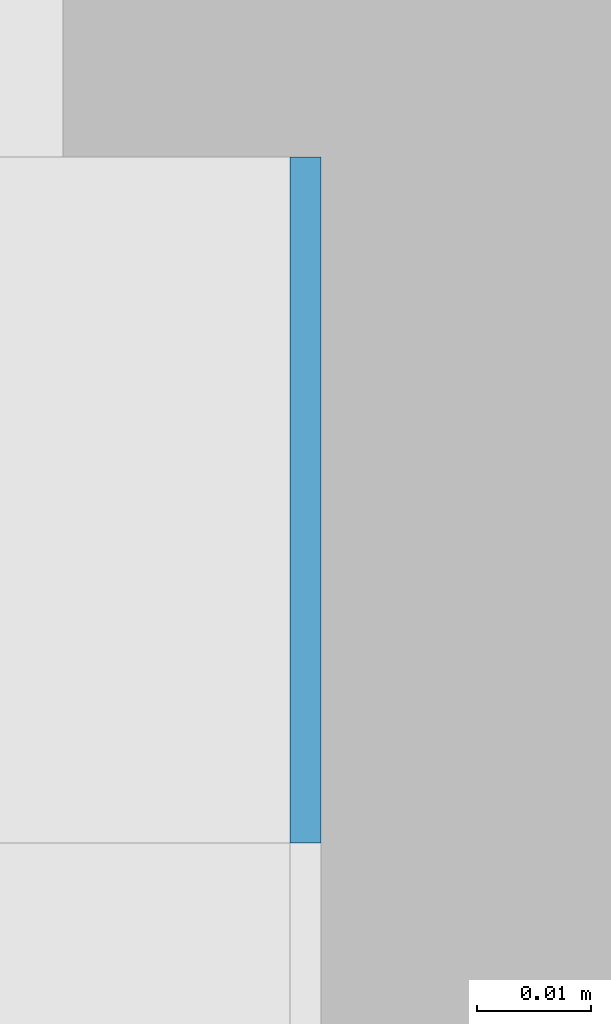
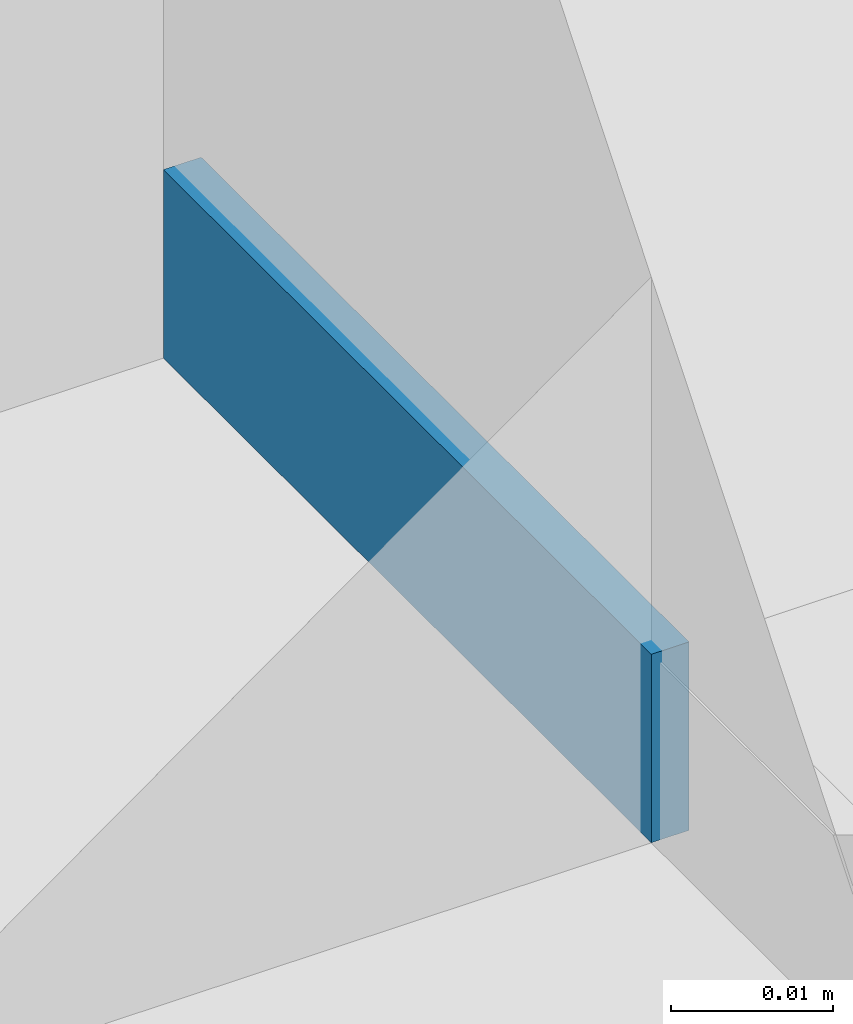
# One storey, part 254 of 646: 1 discrete accessory.
"""IFC4 building model written with IfcOpenShell, lengths in metres."""

from ifc_helpers import new_model, si_unit, direction, frame, origin, origin_2d, place, context, subcontext, project, spatial, rectangle, extrude, material, type_object, element, save


model = new_model("IFC4")

# Units and contexts
model_context = context("Model", 3, precision=1e-05, world=origin(), true_north=direction((0.0, 1.0)))
body_context = subcontext(model_context, "Body", "Model", "MODEL_VIEW")
ifc_project = project(units=[si_unit("LENGTHUNIT", "METRE"), si_unit("AREAUNIT", "SQUARE_METRE"), si_unit("VOLUMEUNIT", "CUBIC_METRE"), si_unit("PLANEANGLEUNIT", "RADIAN"), si_unit("MASSUNIT", "GRAM", prefix="KILO")], contexts=[model_context])

# Site, building, storey
site_placement = place(None, origin())
site = spatial("IfcSite", under=ifc_project, at=site_placement, CompositionType="ELEMENT")
building_placement = place(site_placement, origin())
building = spatial("IfcBuilding", under=site, at=building_placement, Name="Silverbay Arena", CompositionType="ELEMENT")
storey_placement = place(building_placement, frame((0.0, 0.0, 33.5)))
storey = spatial("IfcBuildingStorey", under=building, at=storey_placement, Name="L05", CompositionType="ELEMENT", Elevation=33.5)

# Discrete accessory
ifc_material = material(Name="Steel S355", Category="steel")
discrete_accessory_type = type_object("IfcDiscreteAccessoryType", Name="Steel bracket plate", PredefinedType="BRACKET", material=ifc_material)
discrete_accessory_placement = place(storey_placement, frame((53.871337890625, 36.030029296875, 4.0), z_axis=(0.0, 0.0, 1.0), x_axis=(1.0, 0.0, 0.0)))
element("IfcDiscreteAccessory", 1, at=discrete_accessory_placement, inside=storey, type_object=discrete_accessory_type, Name="Curtain wall packing plate", PredefinedType="BRACKET", context=body_context, shape_type="SweptSolid", body=[
    extrude(rectangle(XDim=0.002685546875, YDim=0.06005859375, at=origin_2d()), origin(), (0.0, 0.0, 1.0), 0.01416015625),
])

save(model, "model.ifc")
